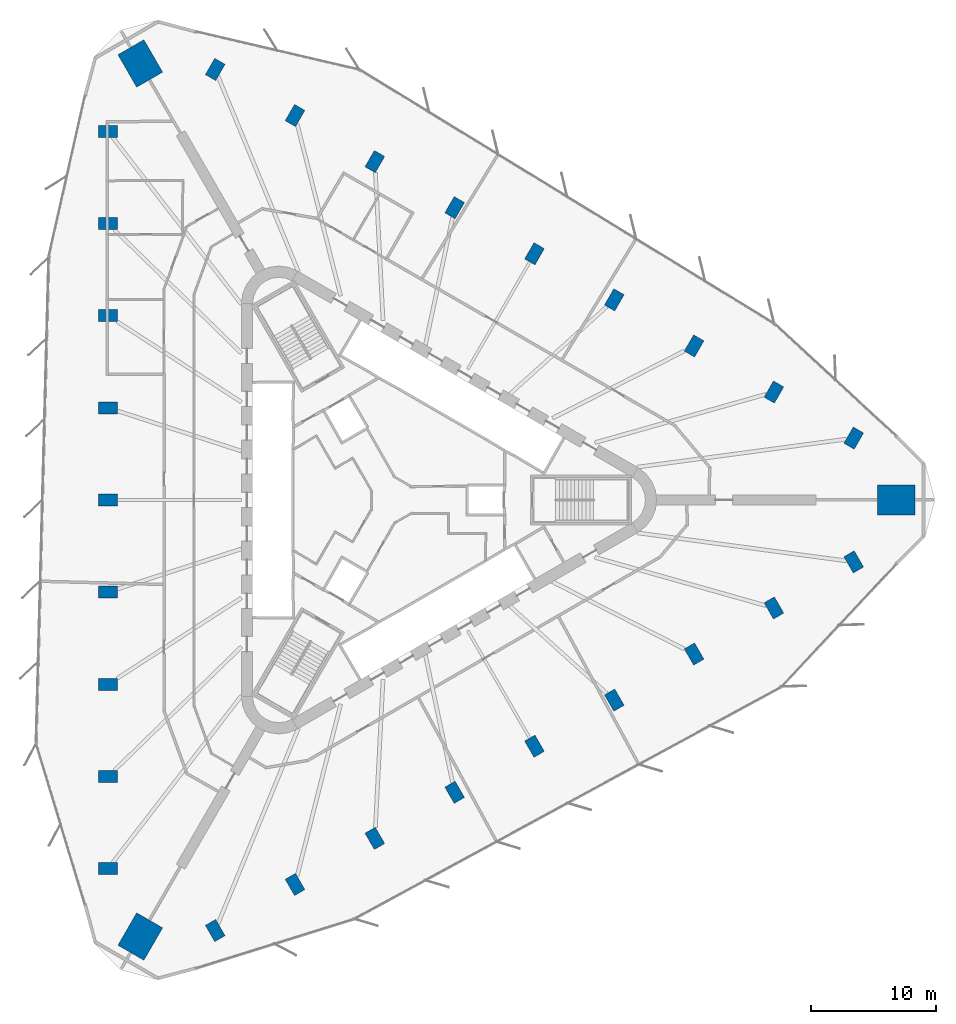
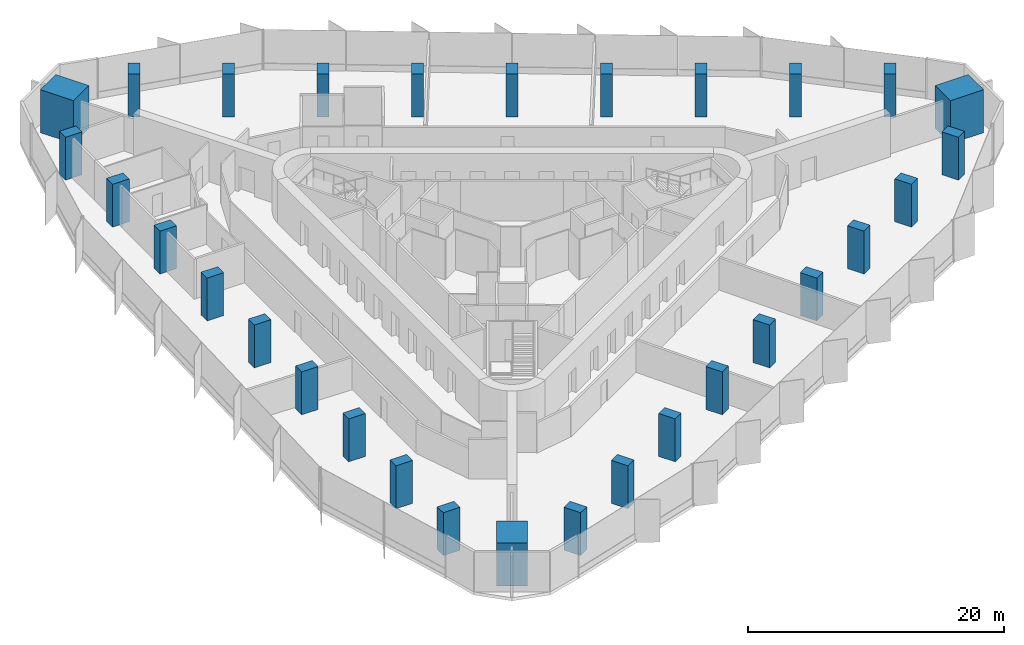
# One storey, part 1 of 14: 30 columns.
"""IFC4 building model written with IfcOpenShell, lengths in metres."""

from ifc_helpers import new_model, si_unit, direction, frame, origin, origin_2d, place, context, subcontext, project, spatial, rectangle, extrude, material, material_profile, profile_set, type_object, element, save


model = new_model("IFC4")

# Units and contexts
model_context = context("Model", 3, precision=1e-05, world=origin(), true_north=direction((0.0, 1.0)))
body_context = subcontext(model_context, "Body", "Model", "MODEL_VIEW")
ifc_project = project(units=[si_unit("LENGTHUNIT", "METRE"), si_unit("AREAUNIT", "SQUARE_METRE"), si_unit("VOLUMEUNIT", "CUBIC_METRE"), si_unit("PLANEANGLEUNIT", "RADIAN"), si_unit("MASSUNIT", "GRAM", prefix="KILO")], contexts=[model_context])

# Site, building, storey
site_placement = place(None, origin())
site = spatial("IfcSite", under=ifc_project, at=site_placement, CompositionType="ELEMENT")
building_placement = place(site_placement, origin())
building = spatial("IfcBuilding", under=site, at=building_placement, Name="Tanit Gate Tower", CompositionType="ELEMENT")
storey_placement = place(building_placement, frame((0.0, 0.0, 123.39990234375)))
storey = spatial("IfcBuildingStorey", under=building, at=storey_placement, Name="L26", CompositionType="ELEMENT", Elevation=123.39990234375)

# Columns
ifc_material_1 = material(Name="Concrete C70/85", Category="concrete")
ifc_material_profile_1 = material_profile(ifc_material_1, rectangle(XDim=3.0, YDim=2.39990234375, at=origin_2d()), Name="RC 3000x2400")
ifc_profile_set_1 = profile_set([ifc_material_profile_1], Name="Concrete C70/85")
column_type_1 = type_object("IfcColumnType", Name="MEGA COLUMN 3000x2400 C70/85", PredefinedType="COLUMN", material=ifc_profile_set_1)
for number, where, z_axis, x_axis, name in (
    (1, (40.42529296875, 0.0, 0.0), (0.0, 0.0, 1.0), (1.0, 0.0, 0.0), "MEGA COLUMN"),
    (2, (-20.212646484375, 35.009521484375, 0.0), (0.0, 0.0, 1.0), (-0.5, 0.866025403784, 0.0), "MEGA COLUMN"),
    (3, (-20.212646484375, -35.009521484375, 0.0), (0.0, 0.0, 1.0), (-0.5, -0.866025403784, 0.0), "MEGA COLUMN"),
):
    element("IfcColumn", number, at=place(storey_placement, frame(where, z_axis=z_axis, x_axis=x_axis)), inside=storey, type_object=column_type_1, Name=name, PredefinedType="COLUMN", context=body_context, shape_type="SweptSolid", body=[
        extrude(rectangle(XDim=3.0, YDim=2.39990234375, at=origin_2d()), origin(), (0.0, 0.0, 1.0), 4.10009765625),
    ])
ifc_material_2 = material(Name="Concrete C60/75", Category="concrete")
ifc_material_profile_2 = material_profile(ifc_material_2, rectangle(XDim=1.5, YDim=0.949951171875, at=origin_2d()), Name="RC 1500x950")
ifc_profile_set_2 = profile_set([ifc_material_profile_2], Name="Concrete C60/75")
column_type_2 = type_object("IfcColumnType", Name="PERIMETER COLUMN 1500x950 C60/75", PredefinedType="COLUMN", material=ifc_profile_set_2)
for number, where, z_axis, x_axis, name in (
    (4, (-22.80029296875, 29.56591796875, 0.0), (0.0, 0.0, 1.0), (-1.0, 0.0, 0.0), "PERIMETER COLUMN"),
    (5, (-22.80029296875, 22.17431640625, 0.0), (0.0, 0.0, 1.0), (-1.0, 0.0, 0.0), "PERIMETER COLUMN"),
    (6, (-22.80029296875, 14.782958984375, 0.0), (0.0, 0.0, 1.0), (-1.0, 0.0, 0.0), "PERIMETER COLUMN"),
    (7, (-22.80029296875, 7.391357421875, 0.0), (0.0, 0.0, 1.0), (-1.0, 0.0, 0.0), "PERIMETER COLUMN"),
    (8, (-22.80029296875, 0.0, 0.0), (0.0, 0.0, 1.0), (-1.0, 0.0, 0.0), "PERIMETER COLUMN"),
    (9, (-22.80029296875, -7.391357421875, 0.0), (0.0, 0.0, 1.0), (-1.0, 0.0, 0.0), "PERIMETER COLUMN"),
    (10, (-22.80029296875, -14.782958984375, 0.0), (0.0, 0.0, 1.0), (-1.0, 0.0, 0.0), "PERIMETER COLUMN"),
    (11, (-22.80029296875, -22.17431640625, 0.0), (0.0, 0.0, 1.0), (-1.0, 0.0, 0.0), "PERIMETER COLUMN"),
    (12, (-22.80029296875, -29.56591796875, 0.0), (0.0, 0.0, 1.0), (-1.0, 0.0, 0.0), "PERIMETER COLUMN"),
    (13, (37.0048828125, 4.962646484375, 0.0), (0.0, 0.0, 1.0), (0.5, 0.866025403784, 0.0), "PERIMETER COLUMN"),
    (14, (30.603515625, 8.658447265625, 0.0), (0.0, 0.0, 1.0), (0.5, 0.866025403784, 0.0), "PERIMETER COLUMN"),
    (15, (24.202392578125, 12.35400390625, 0.0), (0.0, 0.0, 1.0), (0.5, 0.866025403784, 0.0), "PERIMETER COLUMN"),
    (16, (17.80126953125, 16.0498046875, 0.0), (0.0, 0.0, 1.0), (0.5, 0.866025403784, 0.0), "PERIMETER COLUMN"),
    (17, (11.400146484375, 19.74560546875, 0.0), (0.0, 0.0, 1.0), (0.5, 0.866025403784, 0.0), "PERIMETER COLUMN"),
    (18, (4.998779296875, 23.44140625, 0.0), (0.0, 0.0, 1.0), (0.5, 0.866025403784, 0.0), "PERIMETER COLUMN"),
    (19, (-1.40234375, 27.136962890625, 0.0), (0.0, 0.0, 1.0), (0.5, 0.866025403784, 0.0), "PERIMETER COLUMN"),
    (20, (-7.803466796875, 30.832763671875, 0.0), (0.0, 0.0, 1.0), (0.5, 0.866025403784, 0.0), "PERIMETER COLUMN"),
    (21, (-14.20458984375, 34.5283203125, 0.0), (0.0, 0.0, 1.0), (0.5, 0.866025403784, 0.0), "PERIMETER COLUMN"),
    (22, (-14.20458984375, -34.5283203125, 0.0), (0.0, 0.0, 1.0), (0.5, -0.866025403784, 0.0), "PERIMETER COLUMN"),
    (23, (-7.803466796875, -30.832763671875, 0.0), (0.0, 0.0, 1.0), (0.5, -0.866025403784, 0.0), "PERIMETER COLUMN"),
    (24, (-1.40234375, -27.136962890625, 0.0), (0.0, 0.0, 1.0), (0.5, -0.866025403784, 0.0), "PERIMETER COLUMN"),
    (25, (4.998779296875, -23.44140625, 0.0), (0.0, 0.0, 1.0), (0.5, -0.866025403784, 0.0), "PERIMETER COLUMN"),
    (26, (11.400146484375, -19.74560546875, 0.0), (0.0, 0.0, 1.0), (0.5, -0.866025403784, 0.0), "PERIMETER COLUMN"),
    (27, (17.80126953125, -16.0498046875, 0.0), (0.0, 0.0, 1.0), (0.5, -0.866025403784, 0.0), "PERIMETER COLUMN"),
    (28, (24.202392578125, -12.35400390625, 0.0), (0.0, 0.0, 1.0), (0.5, -0.866025403784, 0.0), "PERIMETER COLUMN"),
    (29, (30.603515625, -8.658447265625, 0.0), (0.0, 0.0, 1.0), (0.5, -0.866025403784, 0.0), "PERIMETER COLUMN"),
    (30, (37.0048828125, -4.962646484375, 0.0), (0.0, 0.0, 1.0), (0.5, -0.866025403784, 0.0), "PERIMETER COLUMN"),
):
    element("IfcColumn", number, at=place(storey_placement, frame(where, z_axis=z_axis, x_axis=x_axis)), inside=storey, type_object=column_type_2, Name=name, PredefinedType="COLUMN", context=body_context, shape_type="SweptSolid", body=[
        extrude(rectangle(XDim=1.5, YDim=0.949951171875, at=origin_2d()), origin(), (0.0, 0.0, 1.0), 4.10009765625),
    ])

save(model, "model.ifc")
